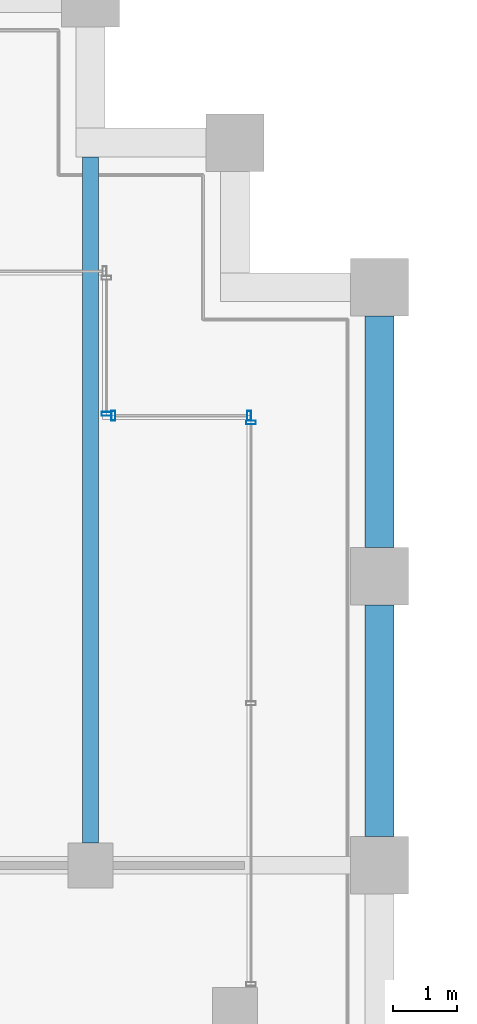
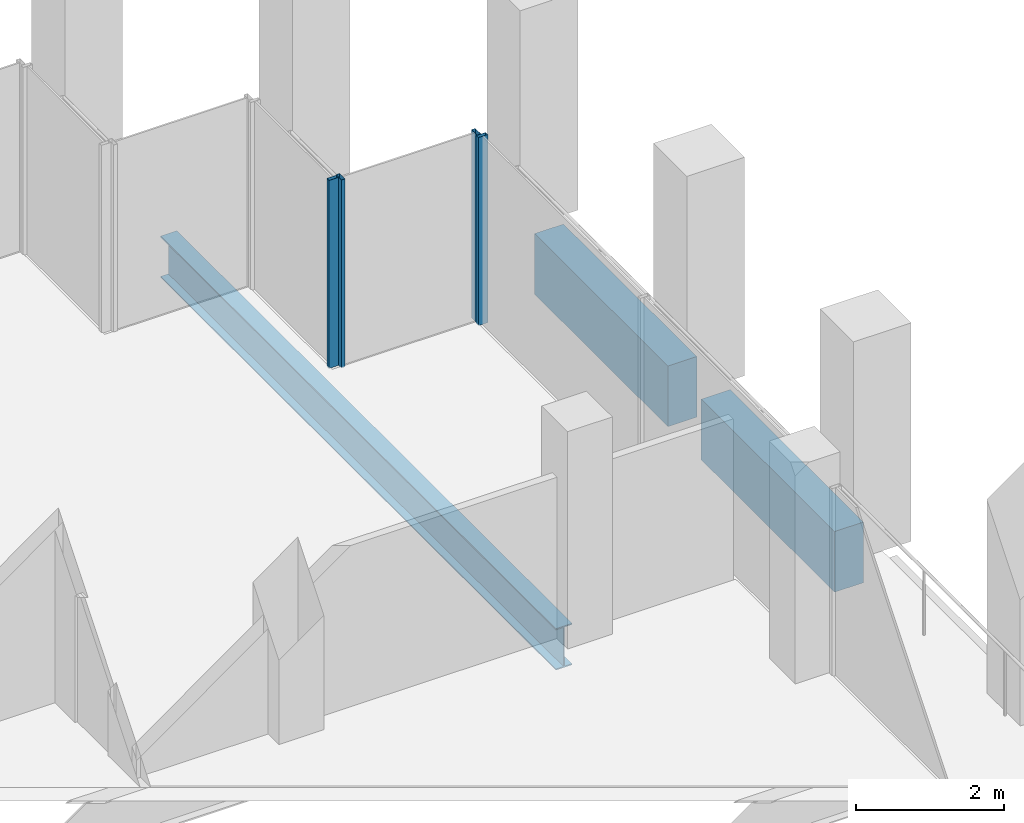
# One storey, part 25 of 40: 4 members, 3 beams, 3 elements without a shape of their own.
"""IFC4 building model written with IfcOpenShell, lengths in metres."""

from ifc_helpers import new_model, si_unit, direction, frame, origin, origin_2d, place, context, subcontext, project, spatial, rectangle, hollow_rectangle, i_section, extrude, material, material_profile, profile_set, type_object, element, aggregate, save


model = new_model("IFC4")

# Units and contexts
model_context = context("Model", 3, precision=1e-05, world=origin(), true_north=direction((0.0, 1.0)))
body_context = subcontext(model_context, "Body", "Model", "MODEL_VIEW")
ifc_project = project(units=[si_unit("LENGTHUNIT", "METRE"), si_unit("AREAUNIT", "SQUARE_METRE"), si_unit("VOLUMEUNIT", "CUBIC_METRE"), si_unit("PLANEANGLEUNIT", "RADIAN"), si_unit("MASSUNIT", "GRAM", prefix="KILO")], contexts=[model_context])

# Site, building, storey
site_placement = place(None, origin())
site = spatial("IfcSite", under=ifc_project, at=site_placement, CompositionType="ELEMENT")
building_placement = place(site_placement, origin())
building = spatial("IfcBuilding", under=site, at=building_placement, Name="Altepetl Exchange Towers", CompositionType="ELEMENT")
storey_placement = place(building_placement, frame((0.0, 0.0, 165.39990234375)))
storey = spatial("IfcBuildingStorey", under=building, at=storey_placement, Name="L41", CompositionType="ELEMENT", Elevation=165.39990234375)

# Beam
ifc_material_1 = material(Name="Steel S355", Category="steel")
ifc_material_profile_1 = material_profile(ifc_material_1, i_section(OverallWidth=0.25390625, OverallDepth=0.68408203125, WebThickness=0.012451171875, FlangeThickness=0.018798828125, at=origin_2d()), Name="W27X94")
ifc_profile_set_1 = profile_set([ifc_material_profile_1], Name="Steel S355")
beam_type_1 = type_object("IfcBeamType", Name="Floor beam W27X94", PredefinedType="BEAM", material=ifc_profile_set_1)
beam_placement = place(storey_placement, frame((67.5, 58.85009765625, -0.491943359375), z_axis=(0.0, 1.0, 0.0), x_axis=(-1.0, 0.0, 0.0)))
element("IfcBeam", 1, at=beam_placement, inside=storey, type_object=beam_type_1, Name="bm:A:L41:005", PredefinedType="BEAM", context=body_context, shape_type="SweptSolid", body=[
    extrude(i_section(OverallWidth=0.25390625, OverallDepth=0.68408203125, WebThickness=0.012451171875, FlangeThickness=0.018798828125, at=origin_2d()), origin(), (0.0, 0.0, 1.0), 10.6748046875),
])

# Curtain wall, member
ifc_material_2 = material(Name="Aluminium 6063-T6 glazing", Category="aluminium")
curtain_wall_type = type_object("IfcCurtainWallType", Name="Loggia glazing system", PredefinedType="NOTDEFINED", material=ifc_material_2)
curtain_wall_1_placement = place(storey_placement, origin())
curtain_wall_1 = element("IfcCurtainWall", 2, at=curtain_wall_1_placement, inside=storey, type_object=curtain_wall_type, Name="CW1 run", PredefinedType="NOTDEFINED")
ifc_material_3 = material(Name="Aluminium 6063-T6", Category="aluminium")
ifc_material_profile_2 = material_profile(ifc_material_3, hollow_rectangle(XDim=0.06005859375, YDim=0.14990234375, WallThickness=0.0029296875, at=origin_2d()), Name="Mullion 60x150 aluminium")
ifc_profile_set_2 = profile_set([ifc_material_profile_2], Name="Aluminium 6063-T6")
member_type = type_object("IfcMemberType", Name="Mullion 60x150 aluminium", PredefinedType="MULLION", material=ifc_profile_set_2)
member_1_placement = place(storey_placement, frame((70.0, 65.39501953125, 0.0), z_axis=(0.0, 0.0, 1.0), x_axis=(0.0, 1.0, 0.0)))
member_1 = element("IfcMember", 3, at=member_1_placement, type_object=member_type, Name="MU1 mullion", PredefinedType="MULLION", context=body_context, shape_type="SweptSolid", body=[
    extrude(hollow_rectangle(XDim=0.06005859375, YDim=0.14990234375, WallThickness=0.0029296875, at=origin_2d()), origin(), (0.0, 0.0, 1.0), 3.10009765625),
])
aggregate(curtain_wall_1, [member_1])

# Curtain wall, members
curtain_wall_2_placement = place(storey_placement, origin())
curtain_wall_2 = element("IfcCurtainWall", 4, at=curtain_wall_2_placement, inside=storey, type_object=curtain_wall_type, Name="CW1 run", PredefinedType="NOTDEFINED")
member_2_placement = place(storey_placement, frame((69.969970703125, 65.5, 0.0), z_axis=(0.0, 0.0, 1.0), x_axis=(-1.0, 0.0, 0.0)))
member_2 = element("IfcMember", 5, at=member_2_placement, type_object=member_type, Name="MU1 mullion", PredefinedType="MULLION", context=body_context, shape_type="SweptSolid", body=[
    extrude(hollow_rectangle(XDim=0.06005859375, YDim=0.14990234375, WallThickness=0.0029296875, at=origin_2d()), origin(), (0.0, 0.0, 1.0), 3.10009765625),
])
member_3_placement = place(storey_placement, frame((67.85498046875, 65.5, 0.0), z_axis=(0.0, 0.0, 1.0), x_axis=(-1.0, 0.0, 0.0)))
member_3 = element("IfcMember", 6, at=member_3_placement, type_object=member_type, Name="MU1 mullion", PredefinedType="MULLION", context=body_context, shape_type="SweptSolid", body=[
    extrude(hollow_rectangle(XDim=0.06005859375, YDim=0.14990234375, WallThickness=0.0029296875, at=origin_2d()), origin(), (0.0, 0.0, 1.0), 3.10009765625),
])
aggregate(curtain_wall_2, [member_2, member_3])

# Curtain wall, member
curtain_wall_3_placement = place(storey_placement, origin())
curtain_wall_3 = element("IfcCurtainWall", 7, at=curtain_wall_3_placement, inside=storey, type_object=curtain_wall_type, Name="CW1 run", PredefinedType="NOTDEFINED")
member_4_placement = place(storey_placement, frame((67.75, 65.530029296875, 0.0), z_axis=(0.0, 0.0, 1.0), x_axis=(0.0, 1.0, 0.0)))
member_4 = element("IfcMember", 8, at=member_4_placement, type_object=member_type, Name="MU1 mullion", PredefinedType="MULLION", context=body_context, shape_type="SweptSolid", body=[
    extrude(hollow_rectangle(XDim=0.06005859375, YDim=0.14990234375, WallThickness=0.0029296875, at=origin_2d()), origin(), (0.0, 0.0, 1.0), 3.10009765625),
])
aggregate(curtain_wall_3, [member_4])

# Beams
ifc_material_4 = material(Name="Concrete C50/60 precast with cantera rosa facing", Category="concrete")
ifc_material_profile_3 = material_profile(ifc_material_4, rectangle(XDim=0.449951171875, YDim=1.0, at=origin_2d()), Name="450 x 1000")
ifc_profile_set_3 = profile_set([ifc_material_profile_3], Name="Concrete C50/60 precast with cantera rosa facing")
beam_type_2 = type_object("IfcBeamType", Name="Spandrel beam 450x1000 cantera rosa", PredefinedType="SPANDREL", material=ifc_profile_set_3)
for number, where, z_axis, x_axis, name in (
    (9, (72.0, 58.949951171875, -0.64990234375), (0.0, 1.0, 0.0), (-1.0, 0.0, 0.0), "sp:A:L41:018"),
    (10, (72.0, 63.449951171875, -0.64990234375), (0.0, 1.0, 0.0), (-1.0, 0.0, 0.0), "sp:A:L41:019"),
):
    element("IfcBeam", number, at=place(storey_placement, frame(where, z_axis=z_axis, x_axis=x_axis)), inside=storey, type_object=beam_type_2, Name=name, PredefinedType="SPANDREL", context=body_context, shape_type="SweptSolid", body=[
        extrude(rectangle(XDim=0.449951171875, YDim=1.0, at=origin_2d()), origin(), (0.0, 0.0, 1.0), 3.60009765625),
    ])

save(model, "model.ifc")
